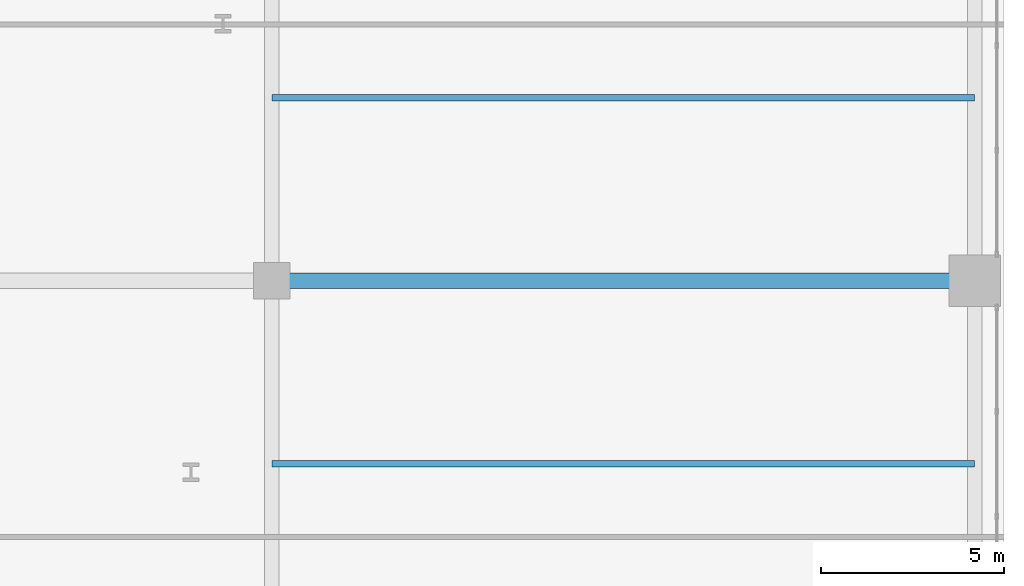
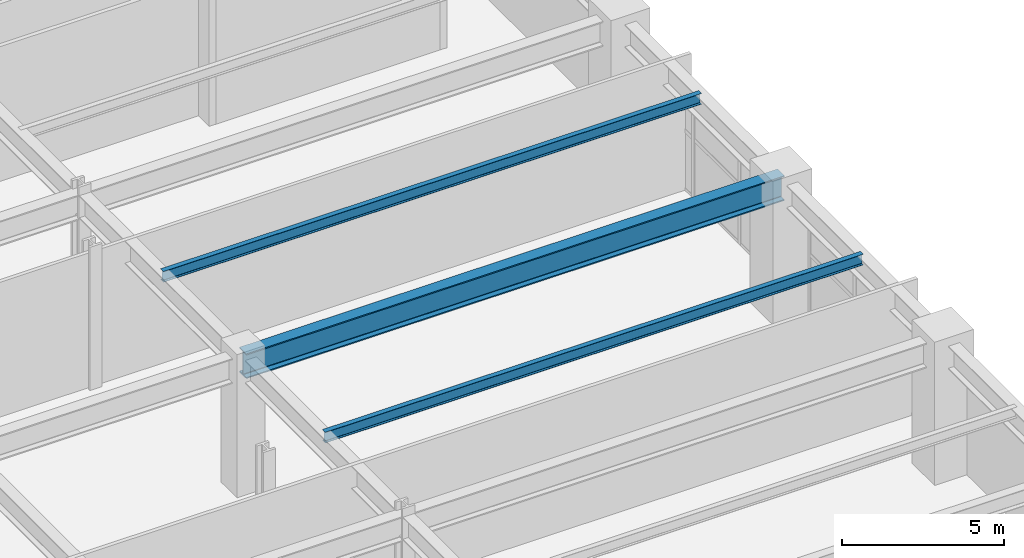
# One storey, part 14 of 28: 3 beams.
"""IFC4 building model written with IfcOpenShell, lengths in metres."""

from ifc_helpers import new_model, si_unit, direction, frame, origin, origin_2d, place, context, subcontext, project, spatial, i_section, extrude, material, material_profile, profile_set, type_object, element, save


model = new_model("IFC4")

# Units and contexts
model_context = context("Model", 3, precision=1e-05, world=origin(), true_north=direction((0.0, 1.0)))
body_context = subcontext(model_context, "Body", "Model", "MODEL_VIEW")
ifc_project = project(units=[si_unit("LENGTHUNIT", "METRE"), si_unit("AREAUNIT", "SQUARE_METRE"), si_unit("VOLUMEUNIT", "CUBIC_METRE"), si_unit("PLANEANGLEUNIT", "RADIAN"), si_unit("MASSUNIT", "GRAM", prefix="KILO")], contexts=[model_context])

# Site, building, storey
site_placement = place(None, origin())
site = spatial("IfcSite", under=ifc_project, at=site_placement, CompositionType="ELEMENT")
building_placement = place(site_placement, origin())
building = spatial("IfcBuilding", under=site, at=building_placement, Name="Soratama Intermodal Tower", CompositionType="ELEMENT")
storey_placement = place(building_placement, frame((0.0, 0.0, 6.0)))
storey = spatial("IfcBuildingStorey", under=building, at=storey_placement, Name="L01", CompositionType="ELEMENT", Elevation=6.0)

# Beams
ifc_material_1 = material(Name="Structural steel ASTM A992 Grade 50", Category="steel")
ifc_material_profile_1 = material_profile(ifc_material_1, i_section(OverallWidth=0.177978515625, OverallDepth=0.406982421875, WebThickness=0.0078125, FlangeThickness=0.0126953125, FilletRadius=0.010009765625, at=origin_2d()), Name="W16X40")
ifc_profile_set_1 = profile_set([ifc_material_profile_1], Name="Structural steel ASTM A992 Grade 50")
beam_type_1 = type_object("IfcBeamType", Name="BM-JST-W16X40", PredefinedType="JOIST", material=ifc_profile_set_1)
for number, where, z_axis, x_axis, name in (
    (1, (64.0, 20.0, 4.87646484375), (1.0, 0.0, 0.0), (0.0, 1.0, 0.0), "JST-L01-E2"),
    (2, (64.0, 30.0, 4.87646484375), (1.0, 0.0, 0.0), (0.0, 1.0, 0.0), "JST-L01-E3"),
):
    element("IfcBeam", number, at=place(storey_placement, frame(where, z_axis=z_axis, x_axis=x_axis)), inside=storey, type_object=beam_type_1, Name=name, PredefinedType="JOIST", context=body_context, shape_type="SweptSolid", body=[
        extrude(i_section(OverallWidth=0.177978515625, OverallDepth=0.406982421875, WebThickness=0.0078125, FlangeThickness=0.0126953125, FilletRadius=0.010009765625, at=origin_2d()), origin(), (0.0, 0.0, 1.0), 19.199951171875),
    ])
ifc_material_2 = material(Name="Structural steel ASTM A992 Grade 50", Category="steel")
ifc_material_profile_2 = material_profile(ifc_material_2, i_section(OverallWidth=0.423095703125, OverallDepth=0.93896484375, WebThickness=0.02392578125, FlangeThickness=0.042724609375, FilletRadius=0.02392578125, at=origin_2d()), Name="W36X302")
ifc_profile_set_2 = profile_set([ifc_material_profile_2], Name="Structural steel ASTM A992 Grade 50")
beam_type_2 = type_object("IfcBeamType", Name="BM-POD-W36X302", PredefinedType="BEAM", material=ifc_profile_set_2)
beam_placement = place(storey_placement, frame((64.0, 25.0, 4.610595703125), z_axis=(1.0, 0.0, 0.0), x_axis=(0.0, 1.0, 0.0)))
element("IfcBeam", 3, at=beam_placement, inside=storey, type_object=beam_type_2, Name="L01 Station Girder X3-3", PredefinedType="BEAM", context=body_context, shape_type="SweptSolid", body=[
    extrude(i_section(OverallWidth=0.423095703125, OverallDepth=0.93896484375, WebThickness=0.02392578125, FlangeThickness=0.042724609375, FilletRadius=0.02392578125, at=origin_2d()), origin(), (0.0, 0.0, 1.0), 19.199951171875),
])

save(model, "model.ifc")
